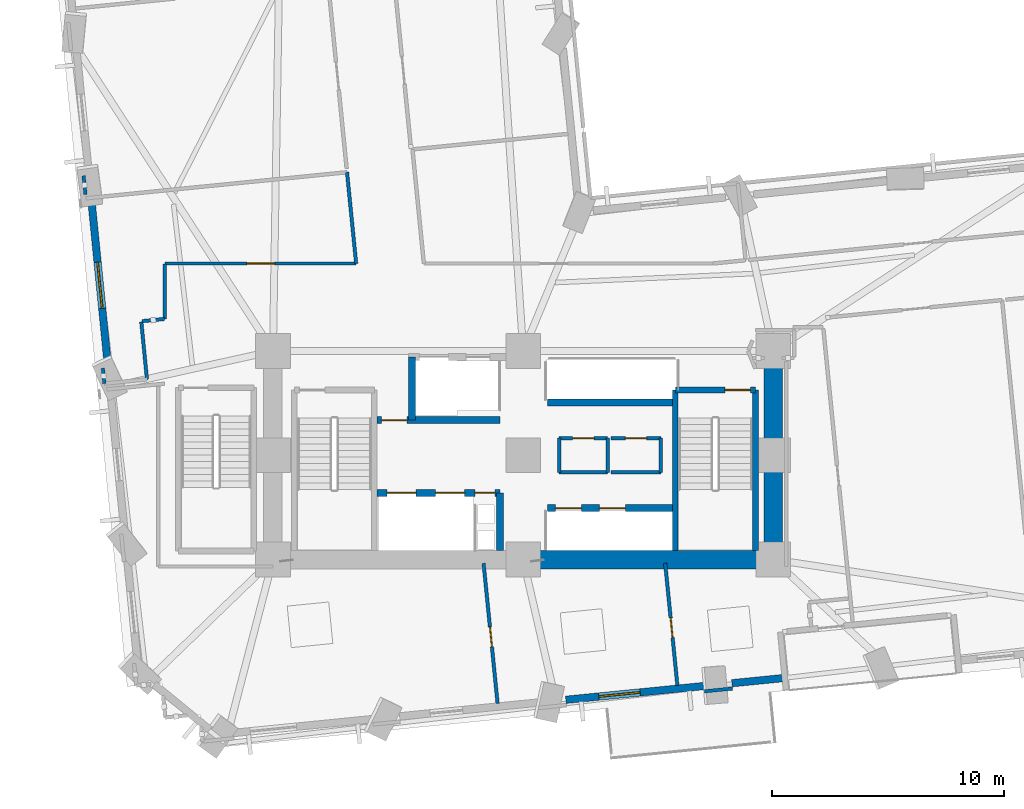
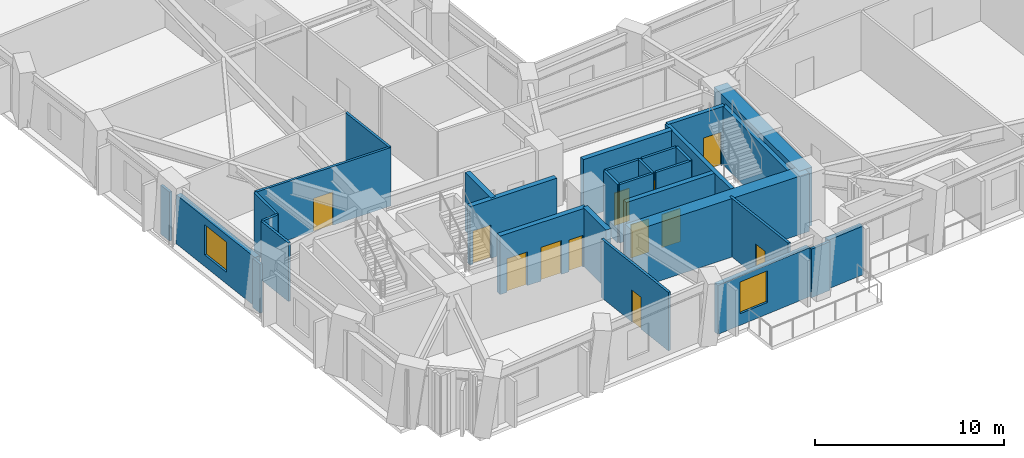
# One storey, part 8 of 16: 31 walls, 12 doors, 2 windows, 14 openings.
"""IFC4 building model written with IfcOpenShell, lengths in metres."""

from ifc_helpers import new_model, si_unit, direction, frame, frame_2d, origin, place, context, subcontext, project, spatial, rectangle, extrude, material, layer, layer_set, type_object, element, fill, save


model = new_model("IFC4")

# Units and contexts
model_context = context("Model", 3, precision=1e-05, world=origin(), true_north=direction((0.0, 1.0)))
body_context = subcontext(model_context, "Body", "Model", "MODEL_VIEW")
ifc_project = project(units=[si_unit("LENGTHUNIT", "METRE"), si_unit("AREAUNIT", "SQUARE_METRE"), si_unit("VOLUMEUNIT", "CUBIC_METRE"), si_unit("PLANEANGLEUNIT", "RADIAN"), si_unit("MASSUNIT", "GRAM", prefix="KILO")], contexts=[model_context])

# Site, building, storey
site_placement = place(None, origin())
site = spatial("IfcSite", under=ifc_project, at=site_placement, CompositionType="ELEMENT")
building_placement = place(site_placement, origin())
building = spatial("IfcBuilding", under=site, at=building_placement, Name="Gaonmaruhae Medical Tower", CompositionType="ELEMENT")
storey_placement = place(building_placement, frame((0.0, 0.0, 47.0)))
storey = spatial("IfcBuildingStorey", under=building, at=storey_placement, Name="L10", CompositionType="ELEMENT", Elevation=47.0)

# Walls
ifc_material_1 = material(Name="Concrete C60/75", Category="concrete")
ifc_layer_1 = layer(ifc_material_1, 0.800048828125)
ifc_layer_set_1 = layer_set([ifc_layer_1], Name="Concrete C60/75")
wall_type_1 = type_object("IfcWallType", Name="CW-800 Lower Core Shear Wall", PredefinedType="SHEAR", material=ifc_layer_set_1)
wall_1_placement = place(storey_placement, frame((24.800048828125, 7.800048828125, 0.0), z_axis=(0.0, 0.0, 1.0), x_axis=(1.0, 0.0, 0.0)))
element("IfcWall", 1, at=wall_1_placement, inside=storey, type_object=wall_type_1, Name="L10 Core Shear Wall CSW-S2", PredefinedType="SHEAR", context=body_context, shape_type="SweptSolid", body=[
    extrude(rectangle(XDim=10.800048828125, YDim=0.800048828125, at=frame_2d((5.39990234375, 0.0))), origin(), (0.0, 0.0, 1.0), 3.780029296875),
])
wall_2_placement = place(storey_placement, frame((35.60009765625, 7.800048828125, 0.0), z_axis=(0.0, 0.0, 1.0), x_axis=(0.0, 1.0, 0.0)))
element("IfcWall", 2, at=wall_2_placement, inside=storey, type_object=wall_type_1, Name="L10 Core Shear Wall CSW-E1", PredefinedType="SHEAR", context=body_context, shape_type="SweptSolid", body=[
    extrude(rectangle(XDim=9.0, YDim=0.800048828125, at=frame_2d((4.5, 0.0))), origin(), (0.0, 0.0, 1.0), 3.780029296875),
])

# Wall, opening, window
ifc_material_2 = material(Name="Precast concrete C45/55", Category="concrete")
ifc_layer_2 = layer(ifc_material_2, 0.320068359375)
ifc_layer_set_2 = layer_set([ifc_layer_2], Name="Precast concrete C45/55")
wall_type_2 = type_object("IfcWallType", Name="EW-320 Lower Precast Masonry-Frame Facade Wall", PredefinedType="SOLIDWALL", material=ifc_layer_set_2)
wall_3_placement = place(storey_placement, frame((32.60302734375, 2.33984375, 0.0), z_axis=(0.0, 0.0, 1.0), x_axis=(-0.995058153954, -0.099293858063, 0.0)))
wall_3 = element("IfcWall", 3, at=wall_3_placement, inside=storey, type_object=wall_type_2, Name="L10 Precast Masonry-Frame Wall S03-S04", PredefinedType="SOLIDWALL", context=body_context, shape_type="SweptSolid", body=[
    extrude(rectangle(XDim=5.989501953125, YDim=0.320068359375, at=frame_2d((2.99462890625, 0.0))), origin(), (0.0, 0.0, 1.0), 3.1650390625),
])
opening_1_placement = place(wall_3_placement, frame((2.76708984375, 0.0, 0.75)))
opening_1 = element("IfcOpeningElement", 4, at=opening_1_placement, cuts=wall_3, Name="Opening WN-04", PredefinedType="OPENING", context=body_context, shape_type="SweptSolid", body=[
    extrude(rectangle(XDim=1.800048828125, YDim=2.050048828125, at=frame_2d((0.89990234375, 1.02490234375))), frame((0.0, 0.169921875, 0.0), z_axis=(0.0, -1.0, 0.0), x_axis=(1.0, 0.0, 0.0)), (0.0, 0.0, 1.0), 0.340087890625),
])
ifc_material_3 = material(Name="Anodised aluminium and Low-E double glazing", Category="aluminium")
window_type_1 = type_object("IfcWindowType", Name="WN-04 Clinic & Consult Punched Window 1800x2050", PartitioningType="SINGLE_PANEL", PredefinedType="WINDOW", material=ifc_material_3)
window_1_placement = place(opening_1_placement, origin())
window_1 = element("IfcWindow", 5, at=window_1_placement, inside=storey, type_object=window_type_1, Name="L10 Modular Facade Window S03", OverallHeight=2.050048828125, OverallWidth=1.800048828125, PartitioningType="SINGLE_PANEL", PredefinedType="WINDOW", context=body_context, shape_type="SweptSolid", body=[
    extrude(rectangle(XDim=1.800048828125, YDim=2.050048828125, at=frame_2d((0.89990234375, 1.02490234375))), frame((0.0, 0.030029296875, 0.0), z_axis=(0.0, -1.0, 0.0), x_axis=(1.0, 0.0, 0.0)), (0.0, 0.0, 1.0), 0.06005859375),
])
fill(opening_1, window_1)

# Wall
wall_4_placement = place(storey_placement, frame((36.075439453125, 2.6865234375, 0.0), z_axis=(0.0, 0.0, 1.0), x_axis=(-0.995059481392, -0.099280554448, 0.0)))
element("IfcWall", 6, at=wall_4_placement, inside=storey, type_object=wall_type_2, Name="L10 Precast Masonry-Frame Wall S04-S05", PredefinedType="SOLIDWALL", context=body_context, shape_type="SweptSolid", body=[
    extrude(rectangle(XDim=2.274658203125, YDim=0.320068359375, at=frame_2d((1.13720703125, 0.0))), origin(), (0.0, 0.0, 1.0), 3.14501953125),
])

# Wall, opening, window
wall_5_placement = place(storey_placement, frame((6.8837890625, 16.081787109375, 0.0), z_axis=(0.0, 0.0, 1.0), x_axis=(-0.099314033415, 0.99505614051, 0.0)))
wall_5 = element("IfcWall", 7, at=wall_5_placement, inside=storey, type_object=wall_type_2, Name="L10 Precast Masonry-Frame Wall W04-W05", PredefinedType="SOLIDWALL", context=body_context, shape_type="SweptSolid", body=[
    extrude(rectangle(XDim=7.136474609375, YDim=0.320068359375, at=frame_2d((3.568359375, 0.0))), origin(), (0.0, 0.0, 1.0), 3.1650390625),
])
opening_2_placement = place(wall_5_placement, frame((2.568603515625, 0.0, 0.75)))
opening_2 = element("IfcOpeningElement", 8, at=opening_2_placement, cuts=wall_5, Name="Opening WN-02", PredefinedType="OPENING", context=body_context, shape_type="SweptSolid", body=[
    extrude(rectangle(XDim=2.0, YDim=1.949951171875, at=frame_2d((1.0, 0.97509765625))), frame((0.0, 0.169921875, 0.0), z_axis=(0.0, -1.0, 0.0), x_axis=(1.0, 0.0, 0.0)), (0.0, 0.0, 1.0), 0.340087890625),
])
window_type_2 = type_object("IfcWindowType", Name="WN-02 Double-Bed Ward Punched Window 2000x1950", PartitioningType="SINGLE_PANEL", PredefinedType="WINDOW", material=ifc_material_3)
window_2_placement = place(opening_2_placement, origin())
window_2 = element("IfcWindow", 9, at=window_2_placement, inside=storey, type_object=window_type_2, Name="L10 Modular Facade Window W04", OverallHeight=1.949951171875, OverallWidth=2.0, PartitioningType="SINGLE_PANEL", PredefinedType="WINDOW", context=body_context, shape_type="SweptSolid", body=[
    extrude(rectangle(XDim=2.0, YDim=1.949951171875, at=frame_2d((1.0, 0.97509765625))), frame((0.0, 0.030029296875, 0.0), z_axis=(0.0, -1.0, 0.0), x_axis=(1.0, 0.0, 0.0)), (0.0, 0.0, 1.0), 0.06005859375),
])
fill(opening_2, window_2)

# Wall
ifc_material_4 = material(Name="Gypsum board partition", Category="gypsum")
ifc_layer_3 = layer(ifc_material_4, 0.14990234375)
ifc_layer_set_3 = layer_set([ifc_layer_3], Name="Gypsum board partition")
wall_type_3 = type_object("IfcWallType", Name="PW-150 Rated Clinical Corridor Partition", PredefinedType="PARTITIONING", material=ifc_layer_set_3)
wall_6_placement = place(storey_placement, frame((26.35009765625, 11.56005859375, 0.0), z_axis=(0.0, 0.0, 1.0), x_axis=(0.0, 1.0, 0.0)))
element("IfcWall", 10, at=wall_6_placement, inside=storey, type_object=wall_type_3, Name="L10 Interior Partition L10-CS1-1", PredefinedType="PARTITIONING", context=body_context, shape_type="SweptSolid", body=[
    extrude(rectangle(XDim=1.47998046875, YDim=0.14990234375, at=frame_2d((0.739990234375, 0.0))), origin(), (0.0, 0.0, 1.0), 3.780029296875),
])

# Wall, opening, door
wall_7_placement = place(storey_placement, frame((26.35009765625, 13.0400390625, 0.0), z_axis=(0.0, 0.0, 1.0), x_axis=(1.0, 0.0, 0.0)))
wall_7 = element("IfcWall", 11, at=wall_7_placement, inside=storey, type_object=wall_type_3, Name="L10 Interior Partition L10-CS1-2", PredefinedType="PARTITIONING", context=body_context, shape_type="SweptSolid", body=[
    extrude(rectangle(XDim=2.099853515625, YDim=0.14990234375, at=frame_2d((1.0498046875, 0.0))), origin(), (0.0, 0.0, 1.0), 3.780029296875),
])
opening_3_placement = place(wall_7_placement, frame((0.590087890625, 0.0, 0.0)))
opening_3 = element("IfcOpeningElement", 12, at=opening_3_placement, cuts=wall_7, Name="Opening UD-01", PredefinedType="OPENING", context=body_context, shape_type="SweptSolid", body=[
    extrude(rectangle(XDim=0.919921875, YDim=2.10009765625, at=frame_2d((0.4599609375, 1.050048828125))), frame((0.0, 0.0849609375, 0.0), z_axis=(0.0, -1.0, 0.0), x_axis=(1.0, 0.0, 0.0)), (0.0, 0.0, 1.0), 0.169921875),
])
ifc_material_5 = material(Name="Powder-coated steel utility door", Category="steel")
door_type_1 = type_object("IfcDoorType", Name="UD-01 Toilet, Utility & Housekeeping Door 920x2100", OperationType="NOTDEFINED", PredefinedType="DOOR", material=ifc_material_5)
door_1_placement = place(opening_3_placement, origin())
door_1 = element("IfcDoor", 13, at=door_1_placement, inside=storey, type_object=door_type_1, Name="L10 Accessible Staff Toilet Door", OperationType="SINGLE_SWING_RIGHT", OverallHeight=2.10009765625, OverallWidth=0.919921875, PredefinedType="DOOR", context=body_context, shape_type="SweptSolid", body=[
    extrude(rectangle(XDim=0.919921875, YDim=2.10009765625, at=frame_2d((0.4599609375, 1.050048828125))), frame((0.0, 0.02490234375, 0.0), z_axis=(0.0, -1.0, 0.0), x_axis=(1.0, 0.0, 0.0)), (0.0, 0.0, 1.0), 0.050048828125),
])
fill(opening_3, door_1)

# Walls
wall_8_placement = place(storey_placement, frame((28.449951171875, 13.0400390625, 0.0), z_axis=(0.0, 0.0, 1.0), x_axis=(0.0, -1.0, 0.0)))
element("IfcWall", 14, at=wall_8_placement, inside=storey, type_object=wall_type_3, Name="L10 Interior Partition L10-CS1-3", PredefinedType="PARTITIONING", context=body_context, shape_type="SweptSolid", body=[
    extrude(rectangle(XDim=1.47998046875, YDim=0.14990234375, at=frame_2d((0.739990234375, 0.0))), origin(), (0.0, 0.0, 1.0), 3.780029296875),
])
wall_9_placement = place(storey_placement, frame((28.449951171875, 11.56005859375, 0.0), z_axis=(0.0, 0.0, 1.0), x_axis=(-1.0, 0.0, 0.0)))
element("IfcWall", 15, at=wall_9_placement, inside=storey, type_object=wall_type_3, Name="L10 Interior Partition L10-CS1-4", PredefinedType="PARTITIONING", context=body_context, shape_type="SweptSolid", body=[
    extrude(rectangle(XDim=2.099853515625, YDim=0.14990234375, at=frame_2d((1.0498046875, 0.0))), origin(), (0.0, 0.0, 1.0), 3.780029296875),
])

# Wall, opening, door
wall_10_placement = place(storey_placement, frame((28.60009765625, 13.0400390625, 0.0), z_axis=(0.0, 0.0, 1.0), x_axis=(1.0, 0.0, 0.0)))
wall_10 = element("IfcWall", 16, at=wall_10_placement, inside=storey, type_object=wall_type_3, Name="L10 Interior Partition L10-CS2-5", PredefinedType="PARTITIONING", context=body_context, shape_type="SweptSolid", body=[
    extrude(rectangle(XDim=2.14990234375, YDim=0.14990234375, at=frame_2d((1.074951171875, 0.0))), origin(), (0.0, 0.0, 1.0), 3.780029296875),
])
opening_4_placement = place(wall_10_placement, frame((0.614990234375, 0.0, 0.0)))
opening_4 = element("IfcOpeningElement", 17, at=opening_4_placement, cuts=wall_10, Name="Opening UD-01", PredefinedType="OPENING", context=body_context, shape_type="SweptSolid", body=[
    extrude(rectangle(XDim=0.919921875, YDim=2.10009765625, at=frame_2d((0.4599609375, 1.050048828125))), frame((0.0, 0.0849609375, 0.0), z_axis=(0.0, -1.0, 0.0), x_axis=(1.0, 0.0, 0.0)), (0.0, 0.0, 1.0), 0.169921875),
])
door_2_placement = place(opening_4_placement, origin())
door_2 = element("IfcDoor", 18, at=door_2_placement, inside=storey, type_object=door_type_1, Name="L10 Biomedical Telemetry Closet Door", OperationType="SINGLE_SWING_LEFT", OverallHeight=2.10009765625, OverallWidth=0.919921875, PredefinedType="DOOR", context=body_context, shape_type="SweptSolid", body=[
    extrude(rectangle(XDim=0.919921875, YDim=2.10009765625, at=frame_2d((0.4599609375, 1.050048828125))), frame((0.0, 0.02490234375, 0.0), z_axis=(0.0, -1.0, 0.0), x_axis=(1.0, 0.0, 0.0)), (0.0, 0.0, 1.0), 0.050048828125),
])
fill(opening_4, door_2)

# Walls
wall_11_placement = place(storey_placement, frame((30.75, 13.0400390625, 0.0), z_axis=(0.0, 0.0, 1.0), x_axis=(0.0, -1.0, 0.0)))
element("IfcWall", 19, at=wall_11_placement, inside=storey, type_object=wall_type_3, Name="L10 Interior Partition L10-CS2-6", PredefinedType="PARTITIONING", context=body_context, shape_type="SweptSolid", body=[
    extrude(rectangle(XDim=1.47998046875, YDim=0.14990234375, at=frame_2d((0.739990234375, 0.0))), origin(), (0.0, 0.0, 1.0), 3.780029296875),
])
wall_12_placement = place(storey_placement, frame((30.75, 11.56005859375, 0.0), z_axis=(0.0, 0.0, 1.0), x_axis=(-1.0, 0.0, 0.0)))
element("IfcWall", 20, at=wall_12_placement, inside=storey, type_object=wall_type_3, Name="L10 Interior Partition L10-CS2-7", PredefinedType="PARTITIONING", context=body_context, shape_type="SweptSolid", body=[
    extrude(rectangle(XDim=2.14990234375, YDim=0.14990234375, at=frame_2d((1.074951171875, 0.0))), origin(), (0.0, 0.0, 1.0), 3.780029296875),
])

# Wall, opening, door
wall_13_placement = place(storey_placement, frame((23.092041015625, 7.64111328125, 0.0), z_axis=(0.0, 0.0, 1.0), x_axis=(0.099432207096, -0.995044338807, 0.0)))
wall_13 = element("IfcWall", 21, at=wall_13_placement, inside=storey, type_object=wall_type_3, Name="L10 Interior Partition L10-SUP02-20", PredefinedType="PARTITIONING", context=body_context, shape_type="SweptSolid", body=[
    extrude(rectangle(XDim=6.08447265625, YDim=0.14990234375, at=frame_2d((3.042236328125, 0.0))), origin(), (0.0, 0.0, 1.0), 3.780029296875),
])
opening_5_placement = place(wall_13_placement, frame((2.7626953125, 0.0, 0.0)))
opening_5 = element("IfcOpeningElement", 22, at=opening_5_placement, cuts=wall_13, Name="Opening AD-01", PredefinedType="OPENING", context=body_context, shape_type="SweptSolid", body=[
    extrude(rectangle(XDim=0.860107421875, YDim=2.06005859375, at=frame_2d((0.43017578125, 1.030029296875))), frame((0.0, 0.0849609375, 0.0), z_axis=(0.0, -1.0, 0.0), x_axis=(1.0, 0.0, 0.0)), (0.0, 0.0, 1.0), 0.169921875),
])
ifc_material_6 = material(Name="Powder-coated steel access door", Category="steel")
door_type_2 = type_object("IfcDoorType", Name="AD-01 Riser & Closet Access Fire Door 860x2060", OperationType="NOTDEFINED", PredefinedType="DOOR", material=ifc_material_6)
door_3_placement = place(opening_5_placement, origin())
door_3 = element("IfcDoor", 23, at=door_3_placement, inside=storey, type_object=door_type_2, Name="L10 Clinical Biomedical Charting Office Sliding Door", OperationType="SLIDING_TO_LEFT", OverallHeight=2.06005859375, OverallWidth=0.860107421875, PredefinedType="DOOR", context=body_context, shape_type="SweptSolid", body=[
    extrude(rectangle(XDim=0.860107421875, YDim=2.06005859375, at=frame_2d((0.43017578125, 1.030029296875))), frame((0.0, 0.02490234375, 0.0), z_axis=(0.0, -1.0, 0.0), x_axis=(1.0, 0.0, 0.0)), (0.0, 0.0, 1.0), 0.050048828125),
])
fill(opening_5, door_3)

wall_14_placement = place(storey_placement, frame((30.930908203125, 7.64111328125, 0.0), z_axis=(0.0, 0.0, 1.0), x_axis=(0.099335166826, -0.995054031011, 0.0)))
wall_14 = element("IfcWall", 24, at=wall_14_placement, inside=storey, type_object=wall_type_3, Name="L10 Interior Partition L10-SUP03-22", PredefinedType="PARTITIONING", context=body_context, shape_type="SweptSolid", body=[
    extrude(rectangle(XDim=5.30615234375, YDim=0.14990234375, at=frame_2d((2.653076171875, 0.0))), origin(), (0.0, 0.0, 1.0), 3.780029296875),
])
opening_6_placement = place(wall_14_placement, frame((2.373779296875, 0.0, 0.0)))
opening_6 = element("IfcOpeningElement", 25, at=opening_6_placement, cuts=wall_14, Name="Opening AD-01", PredefinedType="OPENING", context=body_context, shape_type="SweptSolid", body=[
    extrude(rectangle(XDim=0.860107421875, YDim=2.06005859375, at=frame_2d((0.43017578125, 1.030029296875))), frame((0.0, 0.0849609375, 0.0), z_axis=(0.0, -1.0, 0.0), x_axis=(1.0, 0.0, 0.0)), (0.0, 0.0, 1.0), 0.169921875),
])
door_4_placement = place(opening_6_placement, origin())
door_4 = element("IfcDoor", 26, at=door_4_placement, inside=storey, type_object=door_type_2, Name="L10 Clinical Biomedical Charting Office Sliding Door", OperationType="SLIDING_TO_LEFT", OverallHeight=2.06005859375, OverallWidth=0.860107421875, PredefinedType="DOOR", context=body_context, shape_type="SweptSolid", body=[
    extrude(rectangle(XDim=0.860107421875, YDim=2.06005859375, at=frame_2d((0.43017578125, 1.030029296875))), frame((0.0, 0.02490234375, 0.0), z_axis=(0.0, -1.0, 0.0), x_axis=(1.0, 0.0, 0.0)), (0.0, 0.0, 1.0), 0.050048828125),
])
fill(opening_6, door_4)

# Walls
wall_15_placement = place(storey_placement, frame((33.8349609375, 2.23193359375, 0.0), z_axis=(0.0, 0.0, 1.0), x_axis=(-0.99504116837, -0.099463929391, 0.0)))
element("IfcWall", 27, at=wall_15_placement, inside=storey, type_object=wall_type_3, Name="L10 Interior Partition L10-SUP04-34", PredefinedType="PARTITIONING", context=body_context, shape_type="SweptSolid", body=[
    extrude(rectangle(XDim=1.215087890625, YDim=0.14990234375, at=frame_2d((0.607421875, 0.0))), origin(), (0.0, 0.0, 1.0), 3.14501953125),
])
wall_16_placement = place(storey_placement, frame((9.320068359375, 20.550048828125, 0.0), z_axis=(0.0, 0.0, 1.0), x_axis=(0.0, -1.0, 0.0)))
element("IfcWall", 28, at=wall_16_placement, inside=storey, type_object=wall_type_3, Name="L10 Interior Partition L10-WOF08-45", PredefinedType="PARTITIONING", context=body_context, shape_type="SweptSolid", body=[
    extrude(rectangle(XDim=2.364013671875, YDim=0.14990234375, at=frame_2d((1.18212890625, 0.0))), origin(), (0.0, 0.0, 1.0), 3.780029296875),
])
wall_17_placement = place(storey_placement, frame((9.320068359375, 18.18603515625, 0.0), z_axis=(0.0, 0.0, 1.0), x_axis=(-0.995002701999, -0.099847999552, 0.0)))
element("IfcWall", 29, at=wall_17_placement, inside=storey, type_object=wall_type_3, Name="L10 Interior Partition L10-WOF08-46", PredefinedType="PARTITIONING", context=body_context, shape_type="SweptSolid", body=[
    extrude(rectangle(XDim=0.98291015625, YDim=0.14990234375, at=frame_2d((0.491455078125, 0.0))), origin(), (0.0, 0.0, 1.0), 3.780029296875),
])
wall_18_placement = place(storey_placement, frame((8.31494140625, 18.06396484375, 0.0), z_axis=(0.0, 0.0, 1.0), x_axis=(0.098894150447, -0.995097958498, 0.0)))
element("IfcWall", 30, at=wall_18_placement, inside=storey, type_object=wall_type_3, Name="L10 Interior Partition L10-WOF08-47", PredefinedType="PARTITIONING", context=body_context, shape_type="SweptSolid", body=[
    extrude(rectangle(XDim=2.498291015625, YDim=0.14990234375, at=frame_2d((1.2490234375, 0.0))), origin(), (0.0, 0.0, 1.0), 3.780029296875),
])
wall_19_placement = place(storey_placement, frame((6.720947265625, 15.39404296875, 0.0), z_axis=(0.0, 0.0, 1.0), x_axis=(-0.098635601058, 0.995123619559, 0.0)))
element("IfcWall", 31, at=wall_19_placement, inside=storey, type_object=wall_type_3, Name="L10 Interior Partition L10-WOF08-49", PredefinedType="PARTITIONING", context=body_context, shape_type="SweptSolid", body=[
    extrude(rectangle(XDim=0.668212890625, YDim=0.14990234375, at=frame_2d((0.333984375, 0.0))), origin(), (0.0, 0.0, 1.0), 3.1650390625),
])
wall_20_placement = place(storey_placement, frame((17.197021484375, 24.51904296875, 0.0), z_axis=(0.0, 0.0, 1.0), x_axis=(0.099296099403, -0.995057930295, 0.0)))
element("IfcWall", 32, at=wall_20_placement, inside=storey, type_object=wall_type_3, Name="L10 Interior Partition L10-WOF08-51", PredefinedType="PARTITIONING", context=body_context, shape_type="SweptSolid", body=[
    extrude(rectangle(XDim=3.95849609375, YDim=0.14990234375, at=frame_2d((1.979248046875, 0.0))), origin(), (0.0, 0.0, 1.0), 3.780029296875),
])

# Wall, opening, door
wall_21_placement = place(storey_placement, frame((17.590087890625, 20.580078125, 0.0), z_axis=(0.0, 0.0, 1.0), x_axis=(-1.0, 0.0, 0.0)))
wall_21 = element("IfcWall", 33, at=wall_21_placement, inside=storey, type_object=wall_type_3, Name="L10 Interior Partition L10-WOF08-52", PredefinedType="PARTITIONING", context=body_context, shape_type="SweptSolid", body=[
    extrude(rectangle(XDim=8.2431640625, YDim=0.14990234375, at=frame_2d((4.12158203125, 0.0))), origin(), (0.0, 0.0, 1.0), 3.780029296875),
])
opening_7_placement = place(wall_21_placement, frame((3.521484375, 0.0, 0.0)))
opening_7 = element("IfcOpeningElement", 34, at=opening_7_placement, cuts=wall_21, Name="Opening CD-02", PredefinedType="OPENING", context=body_context, shape_type="SweptSolid", body=[
    extrude(rectangle(XDim=1.199951171875, YDim=2.14990234375, at=frame_2d((0.60009765625, 1.074951171875))), frame((0.0, 0.0849609375, 0.0), z_axis=(0.0, -1.0, 0.0), x_axis=(1.0, 0.0, 0.0)), (0.0, 0.0, 1.0), 0.169921875),
])
ifc_material_7 = material(Name="Antimicrobial laminate timber fire door", Category="wood")
door_type_3 = type_object("IfcDoorType", Name="CD-02 Clinical Treatment & Procedure Door 1200x2150", OperationType="NOTDEFINED", PredefinedType="DOOR", material=ifc_material_7)
door_5_placement = place(opening_7_placement, origin())
door_5 = element("IfcDoor", 35, at=door_5_placement, inside=storey, type_object=door_type_3, Name="L10 Ward Physician Reporting Office Door", OperationType="SINGLE_SWING_RIGHT", OverallHeight=2.14990234375, OverallWidth=1.199951171875, PredefinedType="DOOR", context=body_context, shape_type="SweptSolid", body=[
    extrude(rectangle(XDim=1.199951171875, YDim=2.14990234375, at=frame_2d((0.60009765625, 1.074951171875))), frame((0.0, 0.02490234375, 0.0), z_axis=(0.0, -1.0, 0.0), x_axis=(1.0, 0.0, 0.0)), (0.0, 0.0, 1.0), 0.050048828125),
])
fill(opening_7, door_5)

# Wall
wall_22_placement = place(storey_placement, frame((5.906982421875, 23.552978515625, 0.0), z_axis=(0.0, 0.0, 1.0), x_axis=(-0.100034296973, 0.994983989534, 0.0)))
element("IfcWall", 36, at=wall_22_placement, inside=storey, type_object=wall_type_3, Name="L10 Interior Partition L10-WOF09-55", PredefinedType="PARTITIONING", context=body_context, shape_type="SweptSolid", body=[
    extrude(rectangle(XDim=0.820068359375, YDim=0.14990234375, at=frame_2d((0.41015625, 0.0))), origin(), (0.0, 0.0, 1.0), 3.1650390625),
])

# Wall, opening, door
ifc_material_8 = material(Name="Concrete C50/60", Category="concrete")
ifc_layer_4 = layer(ifc_material_8, 0.239990234375)
ifc_layer_set_4 = layer_set([ifc_layer_4], Name="Concrete C50/60")
wall_type_4 = type_object("IfcWallType", Name="SW-240 Dogleg Stair Tight Shaft Wall", PredefinedType="SOLIDWALL", material=ifc_layer_set_4)
wall_23_placement = place(storey_placement, frame((31.3701171875, 15.1201171875, 0.0), z_axis=(0.0, 0.0, 1.0), x_axis=(1.0, 0.0, 0.0)))
wall_23 = element("IfcWall", 37, at=wall_23_placement, inside=storey, type_object=wall_type_4, Name="L10 ST-02 Stair Shaft Wall SHW-ST-02-N", PredefinedType="SOLIDWALL", context=body_context, shape_type="SweptSolid", body=[
    extrude(rectangle(XDim=3.4599609375, YDim=0.239990234375, at=frame_2d((1.72998046875, 0.0))), origin(), (0.0, 0.0, 1.0), 3.780029296875),
])
opening_8_placement = place(wall_23_placement, frame((2.139892578125, 0.0, 0.0)))
opening_8 = element("IfcOpeningElement", 38, at=opening_8_placement, cuts=wall_23, Name="Opening FD-01", PredefinedType="OPENING", context=body_context, shape_type="SweptSolid", body=[
    extrude(rectangle(XDim=1.10009765625, YDim=2.14990234375, at=frame_2d((0.550048828125, 1.074951171875))), frame((0.0, 0.1298828125, 0.0), z_axis=(0.0, -1.0, 0.0), x_axis=(1.0, 0.0, 0.0)), (0.0, 0.0, 1.0), 0.260009765625),
])
ifc_material_9 = material(Name="Powder-coated steel fire door", Category="steel")
door_type_4 = type_object("IfcDoorType", Name="FD-01 Escape Stair Protected Fire Door 1100x2150", OperationType="NOTDEFINED", PredefinedType="DOOR", material=ifc_material_9)
door_6_placement = place(opening_8_placement, origin())
door_6 = element("IfcDoor", 39, at=door_6_placement, inside=storey, type_object=door_type_4, Name="L10 ST-02 Protected Escape Stair Door", OperationType="SINGLE_SWING_RIGHT", OverallHeight=2.14990234375, OverallWidth=1.10009765625, PredefinedType="DOOR", context=body_context, shape_type="SweptSolid", body=[
    extrude(rectangle(XDim=1.10009765625, YDim=2.14990234375, at=frame_2d((0.550048828125, 1.074951171875))), frame((0.0, 0.02490234375, 0.0), z_axis=(0.0, -1.0, 0.0), x_axis=(1.0, 0.0, 0.0)), (0.0, 0.0, 1.0), 0.050048828125),
])
fill(opening_8, door_6)

# Walls
for number, where, z_axis, x_axis, name in (
    (40, (34.830078125, 15.1201171875, 0.0), (0.0, 0.0, 1.0), (0.0, -1.0, 0.0), "L10 ST-02 Stair Shaft Wall SHW-ST-02-E"),
    (41, (31.3701171875, 8.199951171875, 0.0), (0.0, 0.0, 1.0), (0.0, 1.0, 0.0), "L10 ST-02 Stair Shaft Wall SHW-ST-02-W"),
):
    element("IfcWall", number, at=place(storey_placement, frame(where, z_axis=z_axis, x_axis=x_axis)), inside=storey, type_object=wall_type_4, Name=name, PredefinedType="SOLIDWALL", context=body_context, shape_type="SweptSolid", body=[
        extrude(rectangle(XDim=6.920166015625, YDim=0.239990234375, at=frame_2d((3.4599609375, 0.0))), origin(), (0.0, 0.0, 1.0), 3.780029296875),
    ])

# Wall, openings, doors
ifc_layer_5 = layer(ifc_material_8, 0.300048828125)
ifc_layer_set_5 = layer_set([ifc_layer_5], Name="Concrete C50/60")
wall_type_5 = type_object("IfcWallType", Name="SW-300 Stair & Lift Hoistway Shaft Wall", PredefinedType="SOLIDWALL", material=ifc_layer_set_5)
wall_24_placement = place(storey_placement, frame((18.5, 10.679931640625, 0.0), z_axis=(0.0, 0.0, 1.0), x_axis=(1.0, 0.0, 0.0)))
wall_24 = element("IfcWall", 42, at=wall_24_placement, inside=storey, type_object=wall_type_5, Name="L10 Shaft Enclosure Wall SHW-FFN", PredefinedType="SOLIDWALL", context=body_context, shape_type="SweptSolid", body=[
    extrude(rectangle(XDim=5.300048828125, YDim=0.300048828125, at=frame_2d((2.64990234375, 0.0))), origin(), (0.0, 0.0, 1.0), 3.780029296875),
])
opening_9_placement = place(wall_24_placement, frame((4.219970703125, 0.0, 0.0)))
opening_9 = element("IfcOpeningElement", 43, at=opening_9_placement, cuts=wall_24, Name="Opening AD-01", PredefinedType="OPENING", context=body_context, shape_type="SweptSolid", body=[
    extrude(rectangle(XDim=0.860107421875, YDim=2.06005859375, at=frame_2d((0.43017578125, 1.030029296875))), frame((0.0, 0.16015625, 0.0), z_axis=(0.0, -1.0, 0.0), x_axis=(1.0, 0.0, 0.0)), (0.0, 0.0, 1.0), 0.320068359375),
])
opening_10_placement = place(wall_24_placement, frame((0.425048828125, 0.0, 0.0)))
opening_10 = element("IfcOpeningElement", 44, at=opening_10_placement, cuts=wall_24, Name="Opening LD-F1", PredefinedType="OPENING", context=body_context, shape_type="SweptSolid", body=[
    extrude(rectangle(XDim=1.25, YDim=2.179931640625, at=frame_2d((0.625, 1.08984375))), frame((0.0, 0.16015625, 0.0), z_axis=(0.0, -1.0, 0.0), x_axis=(1.0, 0.0, 0.0)), (0.0, 0.0, 1.0), 0.320068359375),
])
opening_11_placement = place(wall_24_placement, frame((2.52490234375, 0.0, 0.0)))
opening_11 = element("IfcOpeningElement", 45, at=opening_11_placement, cuts=wall_24, Name="Opening LD-F1", PredefinedType="OPENING", context=body_context, shape_type="SweptSolid", body=[
    extrude(rectangle(XDim=1.25, YDim=2.179931640625, at=frame_2d((0.625, 1.08984375))), frame((0.0, 0.16015625, 0.0), z_axis=(0.0, -1.0, 0.0), x_axis=(1.0, 0.0, 0.0)), (0.0, 0.0, 1.0), 0.320068359375),
])
door_7_placement = place(opening_9_placement, origin())
door_7 = element("IfcDoor", 46, at=door_7_placement, inside=storey, type_object=door_type_2, Name="L10 Medical Gas and MEP Riser Access Door", OperationType="SINGLE_SWING_RIGHT", OverallHeight=2.06005859375, OverallWidth=0.860107421875, PredefinedType="DOOR", context=body_context, shape_type="SweptSolid", body=[
    extrude(rectangle(XDim=0.860107421875, YDim=2.06005859375, at=frame_2d((0.43017578125, 1.030029296875))), frame((0.0, 0.02490234375, 0.0), z_axis=(0.0, -1.0, 0.0), x_axis=(1.0, 0.0, 0.0)), (0.0, 0.0, 1.0), 0.050048828125),
])
fill(opening_9, door_7)
ifc_material_10 = material(Name="Brushed stainless steel 316L landing door", Category="steel")
door_type_5 = type_object("IfcDoorType", Name="LD-F1 Firefighting & Bed Lift Sliding Landing Door 1250x2180", OperationType="NOTDEFINED", PredefinedType="DOOR", material=ifc_material_10)
door_8_placement = place(opening_10_placement, origin())
door_8 = element("IfcDoor", 47, at=door_8_placement, inside=storey, type_object=door_type_5, Name="L10 Firefighting Lift Landing Door FFL-01", OperationType="DOUBLE_DOOR_SLIDING", OverallHeight=2.179931640625, OverallWidth=1.25, PredefinedType="DOOR", context=body_context, shape_type="SweptSolid", body=[
    extrude(rectangle(XDim=1.25, YDim=2.179931640625, at=frame_2d((0.625, 1.08984375))), frame((0.0, 0.02490234375, 0.0), z_axis=(0.0, -1.0, 0.0), x_axis=(1.0, 0.0, 0.0)), (0.0, 0.0, 1.0), 0.050048828125),
])
fill(opening_10, door_8)
door_9_placement = place(opening_11_placement, origin())
door_9 = element("IfcDoor", 48, at=door_9_placement, inside=storey, type_object=door_type_5, Name="L10 Firefighting Lift Landing Door FFL-02", OperationType="DOUBLE_DOOR_SLIDING", OverallHeight=2.179931640625, OverallWidth=1.25, PredefinedType="DOOR", context=body_context, shape_type="SweptSolid", body=[
    extrude(rectangle(XDim=1.25, YDim=2.179931640625, at=frame_2d((0.625, 1.08984375))), frame((0.0, 0.02490234375, 0.0), z_axis=(0.0, -1.0, 0.0), x_axis=(1.0, 0.0, 0.0)), (0.0, 0.0, 1.0), 0.050048828125),
])
fill(opening_11, door_9)

# Wall, opening, door
wall_25_placement = place(storey_placement, frame((18.5, 13.820068359375, 0.0), z_axis=(0.0, 0.0, 1.0), x_axis=(1.0, 0.0, 0.0)))
wall_25 = element("IfcWall", 49, at=wall_25_placement, inside=storey, type_object=wall_type_5, Name="L10 Shaft Enclosure Wall SHW-FFL", PredefinedType="SOLIDWALL", context=body_context, shape_type="SweptSolid", body=[
    extrude(rectangle(XDim=5.300048828125, YDim=0.300048828125, at=frame_2d((2.64990234375, 0.0))), origin(), (0.0, 0.0, 1.0), 3.780029296875),
])
opening_12_placement = place(wall_25_placement, frame((0.179931640625, 0.0, 0.0)))
opening_12 = element("IfcOpeningElement", 50, at=opening_12_placement, cuts=wall_25, Name="Opening FD-01", PredefinedType="OPENING", context=body_context, shape_type="SweptSolid", body=[
    extrude(rectangle(XDim=1.10009765625, YDim=2.14990234375, at=frame_2d((0.550048828125, 1.074951171875))), frame((0.0, 0.16015625, 0.0), z_axis=(0.0, -1.0, 0.0), x_axis=(1.0, 0.0, 0.0)), (0.0, 0.0, 1.0), 0.320068359375),
])
door_10_placement = place(opening_12_placement, origin())
door_10 = element("IfcDoor", 51, at=door_10_placement, inside=storey, type_object=door_type_4, Name="L10 Firefighting Lobby Smoke Door", OperationType="SINGLE_SWING_LEFT", OverallHeight=2.14990234375, OverallWidth=1.10009765625, PredefinedType="DOOR", context=body_context, shape_type="SweptSolid", body=[
    extrude(rectangle(XDim=1.10009765625, YDim=2.14990234375, at=frame_2d((0.550048828125, 1.074951171875))), frame((0.0, 0.02490234375, 0.0), z_axis=(0.0, -1.0, 0.0), x_axis=(1.0, 0.0, 0.0)), (0.0, 0.0, 1.0), 0.050048828125),
])
fill(opening_12, door_10)

# Walls
wall_26_placement = place(storey_placement, frame((23.800048828125, 8.199951171875, 0.0), z_axis=(0.0, 0.0, 1.0), x_axis=(0.0, 1.0, 0.0)))
element("IfcWall", 52, at=wall_26_placement, inside=storey, type_object=wall_type_5, Name="L10 Shaft Enclosure Wall SHW-FFE", PredefinedType="SOLIDWALL", context=body_context, shape_type="SweptSolid", body=[
    extrude(rectangle(XDim=2.47998046875, YDim=0.300048828125, at=frame_2d((1.239990234375, 0.0))), origin(), (0.0, 0.0, 1.0), 3.780029296875),
])
wall_27_placement = place(storey_placement, frame((20.0, 13.820068359375, 0.0), z_axis=(0.0, 0.0, 1.0), x_axis=(0.0, 1.0, 0.0)))
element("IfcWall", 53, at=wall_27_placement, inside=storey, type_object=wall_type_5, Name="L10 Shaft Enclosure Wall SHW-BDW", PredefinedType="SOLIDWALL", context=body_context, shape_type="SweptSolid", body=[
    extrude(rectangle(XDim=2.72998046875, YDim=0.300048828125, at=frame_2d((1.364990234375, 0.0))), origin(), (0.0, 0.0, 1.0), 3.780029296875),
])

# Wall, openings, doors
wall_28_placement = place(storey_placement, frame((25.85009765625, 10.02001953125, 0.0), z_axis=(0.0, 0.0, 1.0), x_axis=(1.0, 0.0, 0.0)))
wall_28 = element("IfcWall", 54, at=wall_28_placement, inside=storey, type_object=wall_type_5, Name="L10 Shaft Enclosure Wall SHW-PLS", PredefinedType="SOLIDWALL", context=body_context, shape_type="SweptSolid", body=[
    extrude(rectangle(XDim=5.449951171875, YDim=0.300048828125, at=frame_2d((2.72509765625, 0.0))), origin(), (0.0, 0.0, 1.0), 3.780029296875),
])
opening_13_placement = place(wall_28_placement, frame((0.340087890625, 0.0, 0.0)))
opening_13 = element("IfcOpeningElement", 55, at=opening_13_placement, cuts=wall_28, Name="Opening LD-P1", PredefinedType="OPENING", context=body_context, shape_type="SweptSolid", body=[
    extrude(rectangle(XDim=1.1201171875, YDim=2.14990234375, at=frame_2d((0.56005859375, 1.074951171875))), frame((0.0, 0.16015625, 0.0), z_axis=(0.0, -1.0, 0.0), x_axis=(1.0, 0.0, 0.0)), (0.0, 0.0, 1.0), 0.320068359375),
])
opening_14_placement = place(wall_28_placement, frame((2.239990234375, 0.0, 0.0)))
opening_14 = element("IfcOpeningElement", 56, at=opening_14_placement, cuts=wall_28, Name="Opening LD-P1", PredefinedType="OPENING", context=body_context, shape_type="SweptSolid", body=[
    extrude(rectangle(XDim=1.1201171875, YDim=2.14990234375, at=frame_2d((0.56005859375, 1.074951171875))), frame((0.0, 0.16015625, 0.0), z_axis=(0.0, -1.0, 0.0), x_axis=(1.0, 0.0, 0.0)), (0.0, 0.0, 1.0), 0.320068359375),
])
ifc_material_11 = material(Name="Brushed stainless steel 304 landing door", Category="steel")
door_type_6 = type_object("IfcDoorType", Name="LD-P1 Passenger Lift Sliding Landing Door 1120x2150", OperationType="NOTDEFINED", PredefinedType="DOOR", material=ifc_material_11)
door_11_placement = place(opening_13_placement, origin())
door_11 = element("IfcDoor", 57, at=door_11_placement, inside=storey, type_object=door_type_6, Name="L10 Passenger Lift Landing Door PL-L1", OperationType="DOUBLE_DOOR_SLIDING", OverallHeight=2.14990234375, OverallWidth=1.1201171875, PredefinedType="DOOR", context=body_context, shape_type="SweptSolid", body=[
    extrude(rectangle(XDim=1.1201171875, YDim=2.14990234375, at=frame_2d((0.56005859375, 1.074951171875))), frame((0.0, 0.02490234375, 0.0), z_axis=(0.0, -1.0, 0.0), x_axis=(1.0, 0.0, 0.0)), (0.0, 0.0, 1.0), 0.050048828125),
])
fill(opening_13, door_11)
door_12_placement = place(opening_14_placement, origin())
door_12 = element("IfcDoor", 58, at=door_12_placement, inside=storey, type_object=door_type_6, Name="L10 Passenger Lift Landing Door PL-L2", OperationType="DOUBLE_DOOR_SLIDING", OverallHeight=2.14990234375, OverallWidth=1.1201171875, PredefinedType="DOOR", context=body_context, shape_type="SweptSolid", body=[
    extrude(rectangle(XDim=1.1201171875, YDim=2.14990234375, at=frame_2d((0.56005859375, 1.074951171875))), frame((0.0, 0.02490234375, 0.0), z_axis=(0.0, -1.0, 0.0), x_axis=(1.0, 0.0, 0.0)), (0.0, 0.0, 1.0), 0.050048828125),
])
fill(opening_14, door_12)

# Wall
wall_29_placement = place(storey_placement, frame((25.85009765625, 14.580078125, 0.0), z_axis=(0.0, 0.0, 1.0), x_axis=(1.0, 0.0, 0.0)))
element("IfcWall", 59, at=wall_29_placement, inside=storey, type_object=wall_type_5, Name="L10 Shaft Enclosure Wall SHW-PLN", PredefinedType="SOLIDWALL", context=body_context, shape_type="SweptSolid", body=[
    extrude(rectangle(XDim=5.449951171875, YDim=0.300048828125, at=frame_2d((2.72509765625, 0.0))), origin(), (0.0, 0.0, 1.0), 3.780029296875),
])

save(model, "model.ifc")
